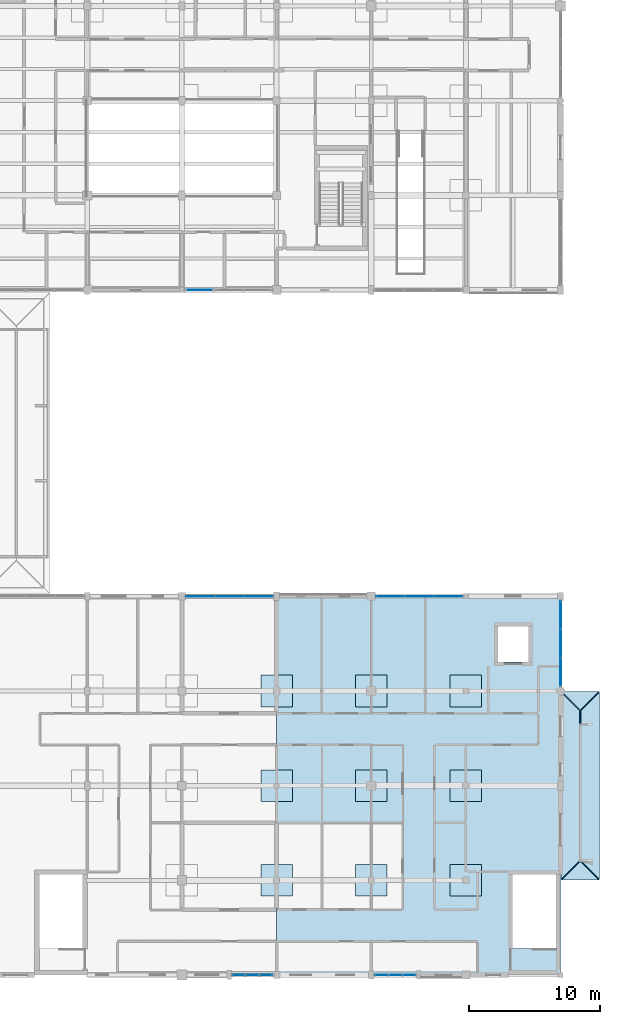
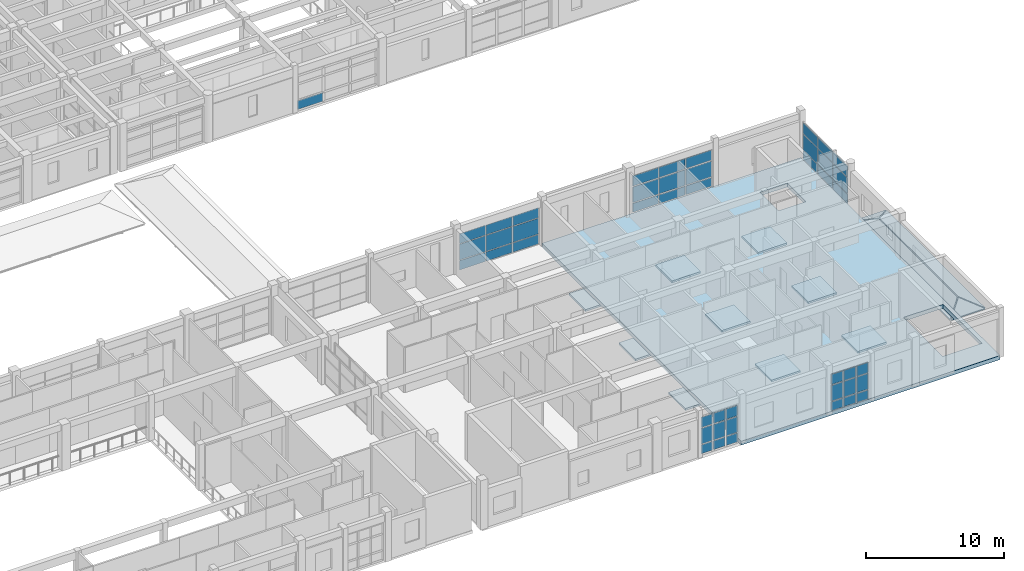
# One storey, part 69 of 110: 46 plates, 14 slabs, 7 elements without a shape of their own.
"""IFC4 building model written with IfcOpenShell, lengths in metres."""

from ifc_helpers import new_model, si_unit, direction, frame, origin, origin_2d, place, context, subcontext, project, spatial, polyline, rectangle, outline, extrude, material, layer, layer_set, type_object, element, aggregate, save


model = new_model("IFC4")

# Units and contexts
model_context = context("Model", 3, precision=1e-05, world=origin(), true_north=direction((0.0, 1.0)))
body_context = subcontext(model_context, "Body", "Model", "MODEL_VIEW")
ifc_project = project(units=[si_unit("LENGTHUNIT", "METRE"), si_unit("AREAUNIT", "SQUARE_METRE"), si_unit("VOLUMEUNIT", "CUBIC_METRE"), si_unit("PLANEANGLEUNIT", "RADIAN"), si_unit("MASSUNIT", "GRAM", prefix="KILO")], contexts=[model_context])

# Site, building, storey
site_placement = place(None, origin())
site = spatial("IfcSite", under=ifc_project, at=site_placement, CompositionType="ELEMENT")
building_placement = place(site_placement, origin())
building = spatial("IfcBuilding", under=site, at=building_placement, Name="Steenspoor Specialist Clinic", CompositionType="ELEMENT")
storey_placement = place(building_placement, frame((0.0, 0.0, 4.800048828125)))
storey = spatial("IfcBuildingStorey", under=building, at=storey_placement, Name="L01", CompositionType="ELEMENT", Elevation=4.800048828125)

# Curtain wall, plates
ifc_material_1 = material(Name="Thermally broken aluminium and low-emissivity glass", Category="aluminium")
curtain_wall_type_1 = type_object("IfcCurtainWallType", Name="CW-L00-480X415", PredefinedType="USERDEFINED", material=ifc_material_1)
curtain_wall_1_placement = place(storey_placement, origin())
curtain_wall_1 = element("IfcCurtainWall", 1, at=curtain_wall_1_placement, inside=storey, type_object=curtain_wall_type_1, Name="Unitised Curtain Wall CW-V2-L01-030", ObjectType="UNITISED GLAZING", PredefinedType="USERDEFINED")
ifc_material_2 = material(Name="Double low-emissivity insulated glass", Category="glass")
ifc_layer_1 = layer(ifc_material_2, 0.035888671875)
ifc_layer_set_1 = layer_set([ifc_layer_1], Name="Double low-emissivity insulated glass")
plate_type_1 = type_object("IfcPlateType", Name="CW-PAN-GL36", PredefinedType="CURTAIN_PANEL", material=ifc_layer_set_1)
plate_1_placement = place(storey_placement, frame((138.800048828125, 13.050048828125, 0.080078125), z_axis=(0.0, 0.0, 1.0), x_axis=(-1.0, 0.0, 0.0)))
plate_1 = element("IfcPlate", 2, at=plate_1_placement, type_object=plate_type_1, Name="CW-06 panel 1.1", PredefinedType="CURTAIN_PANEL", context=body_context, shape_type="SweptSolid", body=[
    extrude(rectangle(XDim=0.93994140625, YDim=0.035888671875, at=origin_2d()), origin(), (0.0, 0.0, 1.0), 0.780029296875),
])
plate_2_placement = place(storey_placement, frame((138.800048828125, 13.050048828125, 0.93994140625), z_axis=(0.0, 0.0, 1.0), x_axis=(-1.0, 0.0, 0.0)))
plate_2 = element("IfcPlate", 3, at=plate_2_placement, type_object=plate_type_1, Name="CW-06 panel 1.2", PredefinedType="CURTAIN_PANEL", context=body_context, shape_type="SweptSolid", body=[
    extrude(rectangle(XDim=0.93994140625, YDim=0.035888671875, at=origin_2d()), origin(), (0.0, 0.0, 1.0), 1.3701171875),
])
plate_3_placement = place(storey_placement, frame((138.800048828125, 13.050048828125, 2.39013671875), z_axis=(0.0, 0.0, 1.0), x_axis=(-1.0, 0.0, 0.0)))
plate_3 = element("IfcPlate", 4, at=plate_3_placement, type_object=plate_type_1, Name="CW-06 panel 1.3", PredefinedType="CURTAIN_PANEL", context=body_context, shape_type="SweptSolid", body=[
    extrude(rectangle(XDim=0.93994140625, YDim=0.035888671875, at=origin_2d()), origin(), (0.0, 0.0, 1.0), 0.909912109375),
])
plate_4_placement = place(storey_placement, frame((137.760009765625, 13.050048828125, 0.080078125), z_axis=(0.0, 0.0, 1.0), x_axis=(-1.0, 0.0, 0.0)))
plate_4 = element("IfcPlate", 5, at=plate_4_placement, type_object=plate_type_1, Name="CW-06 panel 2.1", PredefinedType="CURTAIN_PANEL", context=body_context, shape_type="SweptSolid", body=[
    extrude(rectangle(XDim=0.97998046875, YDim=0.035888671875, at=origin_2d()), origin(), (0.0, 0.0, 1.0), 0.780029296875),
])
plate_5_placement = place(storey_placement, frame((137.760009765625, 13.050048828125, 0.93994140625), z_axis=(0.0, 0.0, 1.0), x_axis=(-1.0, 0.0, 0.0)))
plate_5 = element("IfcPlate", 6, at=plate_5_placement, type_object=plate_type_1, Name="CW-06 panel 2.2", PredefinedType="CURTAIN_PANEL", context=body_context, shape_type="SweptSolid", body=[
    extrude(rectangle(XDim=0.97998046875, YDim=0.035888671875, at=origin_2d()), origin(), (0.0, 0.0, 1.0), 1.3701171875),
])
plate_6_placement = place(storey_placement, frame((137.760009765625, 13.050048828125, 2.39013671875), z_axis=(0.0, 0.0, 1.0), x_axis=(-1.0, 0.0, 0.0)))
plate_6 = element("IfcPlate", 7, at=plate_6_placement, type_object=plate_type_1, Name="CW-06 panel 2.3", PredefinedType="CURTAIN_PANEL", context=body_context, shape_type="SweptSolid", body=[
    extrude(rectangle(XDim=0.97998046875, YDim=0.035888671875, at=origin_2d()), origin(), (0.0, 0.0, 1.0), 0.909912109375),
])
plate_7_placement = place(storey_placement, frame((136.719970703125, 13.050048828125, 0.080078125), z_axis=(0.0, 0.0, 1.0), x_axis=(-1.0, 0.0, 0.0)))
plate_7 = element("IfcPlate", 8, at=plate_7_placement, type_object=plate_type_1, Name="CW-06 panel 3.1", PredefinedType="CURTAIN_PANEL", context=body_context, shape_type="SweptSolid", body=[
    extrude(rectangle(XDim=0.93994140625, YDim=0.035888671875, at=origin_2d()), origin(), (0.0, 0.0, 1.0), 0.780029296875),
])
plate_8_placement = place(storey_placement, frame((136.719970703125, 13.050048828125, 0.93994140625), z_axis=(0.0, 0.0, 1.0), x_axis=(-1.0, 0.0, 0.0)))
plate_8 = element("IfcPlate", 9, at=plate_8_placement, type_object=plate_type_1, Name="CW-06 panel 3.2", PredefinedType="CURTAIN_PANEL", context=body_context, shape_type="SweptSolid", body=[
    extrude(rectangle(XDim=0.93994140625, YDim=0.035888671875, at=origin_2d()), origin(), (0.0, 0.0, 1.0), 1.3701171875),
])
plate_9_placement = place(storey_placement, frame((136.719970703125, 13.050048828125, 2.39013671875), z_axis=(0.0, 0.0, 1.0), x_axis=(-1.0, 0.0, 0.0)))
plate_9 = element("IfcPlate", 10, at=plate_9_placement, type_object=plate_type_1, Name="CW-06 panel 3.3", PredefinedType="CURTAIN_PANEL", context=body_context, shape_type="SweptSolid", body=[
    extrude(rectangle(XDim=0.93994140625, YDim=0.035888671875, at=origin_2d()), origin(), (0.0, 0.0, 1.0), 0.909912109375),
])
aggregate(curtain_wall_1, [plate_1, plate_2, plate_3, plate_4, plate_5, plate_6, plate_7, plate_8, plate_9])

curtain_wall_type_2 = type_object("IfcCurtainWallType", Name="CW-TYP-660X355", PredefinedType="USERDEFINED", material=ifc_material_1)
curtain_wall_2_placement = place(storey_placement, origin())
curtain_wall_2 = element("IfcCurtainWall", 11, at=curtain_wall_2_placement, inside=storey, type_object=curtain_wall_type_2, Name="Unitised Curtain Wall CW-V2-L01-033", ObjectType="UNITISED GLAZING", PredefinedType="USERDEFINED")
plate_10_placement = place(storey_placement, frame((133.807861328125, 41.85009765625, 0.059814453125), z_axis=(0.0, 0.0, 1.0), x_axis=(1.0, 0.0, 0.0)))
plate_10 = element("IfcPlate", 12, at=plate_10_placement, type_object=plate_type_1, Name="CW-09 panel 1.1", PredefinedType="CURTAIN_PANEL", context=body_context, shape_type="SweptSolid", body=[
    extrude(rectangle(XDim=2.1357421875, YDim=0.035888671875, at=origin_2d()), origin(), (0.0, 0.0, 1.0), 0.81005859375),
])
plate_11_placement = place(storey_placement, frame((133.807861328125, 41.85009765625, 0.93017578125), z_axis=(0.0, 0.0, 1.0), x_axis=(1.0, 0.0, 0.0)))
plate_11 = element("IfcPlate", 13, at=plate_11_placement, type_object=plate_type_1, Name="CW-09 panel 1.2", PredefinedType="CURTAIN_PANEL", context=body_context, shape_type="SweptSolid", body=[
    extrude(rectangle(XDim=2.1357421875, YDim=0.035888671875, at=origin_2d()), origin(), (0.0, 0.0, 1.0), 1.389892578125),
])
plate_12_placement = place(storey_placement, frame((133.807861328125, 41.85009765625, 2.3798828125), z_axis=(0.0, 0.0, 1.0), x_axis=(1.0, 0.0, 0.0)))
plate_12 = element("IfcPlate", 14, at=plate_12_placement, type_object=plate_type_1, Name="CW-09 panel 1.3", PredefinedType="CURTAIN_PANEL", context=body_context, shape_type="SweptSolid", body=[
    extrude(rectangle(XDim=2.1357421875, YDim=0.035888671875, at=origin_2d()), origin(), (0.0, 0.0, 1.0), 0.860107421875),
])
plate_13_placement = place(storey_placement, frame((136.02490234375, 41.85009765625, 0.059814453125), z_axis=(0.0, 0.0, 1.0), x_axis=(1.0, 0.0, 0.0)))
plate_13 = element("IfcPlate", 15, at=plate_13_placement, type_object=plate_type_1, Name="CW-09 panel 2.1", PredefinedType="CURTAIN_PANEL", context=body_context, shape_type="SweptSolid", body=[
    extrude(rectangle(XDim=2.168212890625, YDim=0.035888671875, at=origin_2d()), origin(), (0.0, 0.0, 1.0), 0.81005859375),
])
plate_14_placement = place(storey_placement, frame((136.02490234375, 41.85009765625, 0.93017578125), z_axis=(0.0, 0.0, 1.0), x_axis=(1.0, 0.0, 0.0)))
plate_14 = element("IfcPlate", 16, at=plate_14_placement, type_object=plate_type_1, Name="CW-09 panel 2.2", PredefinedType="CURTAIN_PANEL", context=body_context, shape_type="SweptSolid", body=[
    extrude(rectangle(XDim=2.168212890625, YDim=0.035888671875, at=origin_2d()), origin(), (0.0, 0.0, 1.0), 1.389892578125),
])
plate_15_placement = place(storey_placement, frame((136.02490234375, 41.85009765625, 2.3798828125), z_axis=(0.0, 0.0, 1.0), x_axis=(1.0, 0.0, 0.0)))
plate_15 = element("IfcPlate", 17, at=plate_15_placement, type_object=plate_type_1, Name="CW-09 panel 2.3", PredefinedType="CURTAIN_PANEL", context=body_context, shape_type="SweptSolid", body=[
    extrude(rectangle(XDim=2.168212890625, YDim=0.035888671875, at=origin_2d()), origin(), (0.0, 0.0, 1.0), 0.860107421875),
])
plate_16_placement = place(storey_placement, frame((138.2421875, 41.85009765625, 0.059814453125), z_axis=(0.0, 0.0, 1.0), x_axis=(1.0, 0.0, 0.0)))
plate_16 = element("IfcPlate", 18, at=plate_16_placement, type_object=plate_type_1, Name="CW-09 panel 3.1", PredefinedType="CURTAIN_PANEL", context=body_context, shape_type="SweptSolid", body=[
    extrude(rectangle(XDim=2.1357421875, YDim=0.035888671875, at=origin_2d()), origin(), (0.0, 0.0, 1.0), 0.81005859375),
])
plate_17_placement = place(storey_placement, frame((138.2421875, 41.85009765625, 0.93017578125), z_axis=(0.0, 0.0, 1.0), x_axis=(1.0, 0.0, 0.0)))
plate_17 = element("IfcPlate", 19, at=plate_17_placement, type_object=plate_type_1, Name="CW-09 panel 3.2", PredefinedType="CURTAIN_PANEL", context=body_context, shape_type="SweptSolid", body=[
    extrude(rectangle(XDim=2.1357421875, YDim=0.035888671875, at=origin_2d()), origin(), (0.0, 0.0, 1.0), 1.389892578125),
])
plate_18_placement = place(storey_placement, frame((138.2421875, 41.85009765625, 2.3798828125), z_axis=(0.0, 0.0, 1.0), x_axis=(1.0, 0.0, 0.0)))
plate_18 = element("IfcPlate", 20, at=plate_18_placement, type_object=plate_type_1, Name="CW-09 panel 3.3", PredefinedType="CURTAIN_PANEL", context=body_context, shape_type="SweptSolid", body=[
    extrude(rectangle(XDim=2.1357421875, YDim=0.035888671875, at=origin_2d()), origin(), (0.0, 0.0, 1.0), 0.860107421875),
])
aggregate(curtain_wall_2, [plate_10, plate_11, plate_12, plate_13, plate_14, plate_15, plate_16, plate_17, plate_18])

# Curtain wall, plate
curtain_wall_3_placement = place(storey_placement, origin())
curtain_wall_3 = element("IfcCurtainWall", 21, at=curtain_wall_3_placement, inside=storey, type_object=curtain_wall_type_1, Name="Unitised Curtain Wall CW-V6-L01-174", ObjectType="UNITISED GLAZING", PredefinedType="USERDEFINED")
plate_19_placement = place(storey_placement, frame((133.732421875, 65.14990234375, 0.08984375), z_axis=(0.0, 0.0, 1.0), x_axis=(-1.0, 0.0, 0.0)))
plate_19 = element("IfcPlate", 22, at=plate_19_placement, type_object=plate_type_1, Name="CW-06 panel 3.1", PredefinedType="CURTAIN_PANEL", context=body_context, shape_type="SweptSolid", body=[
    extrude(rectangle(XDim=2.10498046875, YDim=0.035888671875, at=origin_2d()), origin(), (0.0, 0.0, 1.0), 0.764892578125),
])
aggregate(curtain_wall_3, [plate_19])

# Curtain wall, plates
curtain_wall_type_3 = type_object("IfcCurtainWallType", Name="CW-TYP-650X355", PredefinedType="USERDEFINED", material=ifc_material_1)
curtain_wall_4_placement = place(storey_placement, origin())
curtain_wall_4 = element("IfcCurtainWall", 23, at=curtain_wall_4_placement, inside=storey, type_object=curtain_wall_type_3, Name="Unitised Curtain Wall CW-V2-L01-034", ObjectType="UNITISED GLAZING", PredefinedType="USERDEFINED")
ifc_material_3 = material(Name="Triple acoustic laminated low-emissivity glass", Category="glass")
ifc_layer_2 = layer(ifc_material_3, 0.048095703125)
ifc_layer_set_2 = layer_set([ifc_layer_2], Name="Triple acoustic laminated low-emissivity glass")
plate_type_2 = type_object("IfcPlateType", Name="CW-PAN-GL48", PredefinedType="CURTAIN_PANEL", material=ifc_layer_set_2)
plate_20_placement = place(storey_placement, frame((148.25244140625, 41.85009765625, 0.08984375), z_axis=(0.0, 0.0, 1.0), x_axis=(1.0, 0.0, 0.0)))
plate_20 = element("IfcPlate", 24, at=plate_20_placement, type_object=plate_type_2, Name="CW-10 panel 1.1", PredefinedType="CURTAIN_PANEL", context=body_context, shape_type="SweptSolid", body=[
    extrude(rectangle(XDim=2.135009765625, YDim=0.048095703125, at=origin_2d()), origin(), (0.0, 0.0, 1.0), 0.764892578125),
])
plate_21_placement = place(storey_placement, frame((148.25244140625, 41.85009765625, 0.94482421875), z_axis=(0.0, 0.0, 1.0), x_axis=(1.0, 0.0, 0.0)))
plate_21 = element("IfcPlate", 25, at=plate_21_placement, type_object=plate_type_2, Name="CW-10 panel 1.2", PredefinedType="CURTAIN_PANEL", context=body_context, shape_type="SweptSolid", body=[
    extrude(rectangle(XDim=2.135009765625, YDim=0.048095703125, at=origin_2d()), origin(), (0.0, 0.0, 1.0), 1.360107421875),
])
plate_22_placement = place(storey_placement, frame((148.25244140625, 41.85009765625, 2.39501953125), z_axis=(0.0, 0.0, 1.0), x_axis=(1.0, 0.0, 0.0)))
plate_22 = element("IfcPlate", 26, at=plate_22_placement, type_object=plate_type_2, Name="CW-10 panel 1.3", PredefinedType="CURTAIN_PANEL", context=body_context, shape_type="SweptSolid", body=[
    extrude(rectangle(XDim=2.135009765625, YDim=0.048095703125, at=origin_2d()), origin(), (0.0, 0.0, 1.0), 0.89501953125),
])
plate_23_placement = place(storey_placement, frame((150.46240234375, 41.85009765625, 0.08984375), z_axis=(0.0, 0.0, 1.0), x_axis=(1.0, 0.0, 0.0)))
plate_23 = element("IfcPlate", 27, at=plate_23_placement, type_object=plate_type_2, Name="CW-10 panel 2.1", PredefinedType="CURTAIN_PANEL", context=body_context, shape_type="SweptSolid", body=[
    extrude(rectangle(XDim=2.1650390625, YDim=0.048095703125, at=origin_2d()), origin(), (0.0, 0.0, 1.0), 0.764892578125),
])
plate_24_placement = place(storey_placement, frame((150.46240234375, 41.85009765625, 0.94482421875), z_axis=(0.0, 0.0, 1.0), x_axis=(1.0, 0.0, 0.0)))
plate_24 = element("IfcPlate", 28, at=plate_24_placement, type_object=plate_type_2, Name="CW-10 panel 2.2", PredefinedType="CURTAIN_PANEL", context=body_context, shape_type="SweptSolid", body=[
    extrude(rectangle(XDim=2.1650390625, YDim=0.048095703125, at=origin_2d()), origin(), (0.0, 0.0, 1.0), 1.360107421875),
])
plate_25_placement = place(storey_placement, frame((150.46240234375, 41.85009765625, 2.39501953125), z_axis=(0.0, 0.0, 1.0), x_axis=(1.0, 0.0, 0.0)))
plate_25 = element("IfcPlate", 29, at=plate_25_placement, type_object=plate_type_2, Name="CW-10 panel 2.3", PredefinedType="CURTAIN_PANEL", context=body_context, shape_type="SweptSolid", body=[
    extrude(rectangle(XDim=2.1650390625, YDim=0.048095703125, at=origin_2d()), origin(), (0.0, 0.0, 1.0), 0.89501953125),
])
plate_26_placement = place(storey_placement, frame((152.672607421875, 41.85009765625, 0.08984375), z_axis=(0.0, 0.0, 1.0), x_axis=(1.0, 0.0, 0.0)))
plate_26 = element("IfcPlate", 30, at=plate_26_placement, type_object=plate_type_2, Name="CW-10 panel 3.1", PredefinedType="CURTAIN_PANEL", context=body_context, shape_type="SweptSolid", body=[
    extrude(rectangle(XDim=2.135009765625, YDim=0.048095703125, at=origin_2d()), origin(), (0.0, 0.0, 1.0), 0.764892578125),
])
plate_27_placement = place(storey_placement, frame((152.672607421875, 41.85009765625, 0.94482421875), z_axis=(0.0, 0.0, 1.0), x_axis=(1.0, 0.0, 0.0)))
plate_27 = element("IfcPlate", 31, at=plate_27_placement, type_object=plate_type_2, Name="CW-10 panel 3.2", PredefinedType="CURTAIN_PANEL", context=body_context, shape_type="SweptSolid", body=[
    extrude(rectangle(XDim=2.135009765625, YDim=0.048095703125, at=origin_2d()), origin(), (0.0, 0.0, 1.0), 1.360107421875),
])
plate_28_placement = place(storey_placement, frame((152.672607421875, 41.85009765625, 2.39501953125), z_axis=(0.0, 0.0, 1.0), x_axis=(1.0, 0.0, 0.0)))
plate_28 = element("IfcPlate", 32, at=plate_28_placement, type_object=plate_type_2, Name="CW-10 panel 3.3", PredefinedType="CURTAIN_PANEL", context=body_context, shape_type="SweptSolid", body=[
    extrude(rectangle(XDim=2.135009765625, YDim=0.048095703125, at=origin_2d()), origin(), (0.0, 0.0, 1.0), 0.89501953125),
])
aggregate(curtain_wall_4, [plate_20, plate_21, plate_22, plate_23, plate_24, plate_25, plate_26, plate_27, plate_28])

curtain_wall_type_4 = type_object("IfcCurtainWallType", Name="CW-L00-650X415", PredefinedType="USERDEFINED", material=ifc_material_1)
curtain_wall_5_placement = place(storey_placement, origin())
curtain_wall_5 = element("IfcCurtainWall", 33, at=curtain_wall_5_placement, inside=storey, type_object=curtain_wall_type_4, Name="Unitised Curtain Wall CW-V2-L01-029", ObjectType="UNITISED GLAZING", PredefinedType="USERDEFINED")
ifc_material_4 = material(Name="Insulated glazed ceramic spandrel panel", Category="glass")
ifc_layer_3 = layer(ifc_material_4, 0.074951171875)
ifc_layer_set_3 = layer_set([ifc_layer_3], Name="Insulated glazed ceramic spandrel panel")
plate_type_3 = type_object("IfcPlateType", Name="CW-PAN-SP75", PredefinedType="CURTAIN_PANEL", material=ifc_layer_set_3)
plate_29_placement = place(storey_placement, frame((149.68994140625, 13.050048828125, 0.08984375), z_axis=(0.0, 0.0, 1.0), x_axis=(-1.0, 0.0, 0.0)))
plate_29 = element("IfcPlate", 34, at=plate_29_placement, type_object=plate_type_3, Name="CW-05 panel 1.1", PredefinedType="CURTAIN_PANEL", context=body_context, shape_type="SweptSolid", body=[
    extrude(rectangle(XDim=0.93994140625, YDim=0.074951171875, at=origin_2d()), origin(), (0.0, 0.0, 1.0), 0.764892578125),
])
plate_30_placement = place(storey_placement, frame((149.68994140625, 13.050048828125, 0.94482421875), z_axis=(0.0, 0.0, 1.0), x_axis=(-1.0, 0.0, 0.0)))
plate_30 = element("IfcPlate", 35, at=plate_30_placement, type_object=plate_type_3, Name="CW-05 panel 1.2", PredefinedType="CURTAIN_PANEL", context=body_context, shape_type="SweptSolid", body=[
    extrude(rectangle(XDim=0.93994140625, YDim=0.074951171875, at=origin_2d()), origin(), (0.0, 0.0, 1.0), 1.360107421875),
])
plate_31_placement = place(storey_placement, frame((149.68994140625, 13.050048828125, 2.39501953125), z_axis=(0.0, 0.0, 1.0), x_axis=(-1.0, 0.0, 0.0)))
plate_31 = element("IfcPlate", 36, at=plate_31_placement, type_object=plate_type_3, Name="CW-05 panel 1.3", PredefinedType="CURTAIN_PANEL", context=body_context, shape_type="SweptSolid", body=[
    extrude(rectangle(XDim=0.93994140625, YDim=0.074951171875, at=origin_2d()), origin(), (0.0, 0.0, 1.0), 0.89501953125),
])
plate_32_placement = place(storey_placement, frame((148.637451171875, 13.050048828125, 0.08984375), z_axis=(0.0, 0.0, 1.0), x_axis=(-1.0, 0.0, 0.0)))
plate_32 = element("IfcPlate", 37, at=plate_32_placement, type_object=plate_type_3, Name="CW-05 panel 2.1", PredefinedType="CURTAIN_PANEL", context=body_context, shape_type="SweptSolid", body=[
    extrude(rectangle(XDim=0.985107421875, YDim=0.074951171875, at=origin_2d()), origin(), (0.0, 0.0, 1.0), 0.764892578125),
])
plate_33_placement = place(storey_placement, frame((148.637451171875, 13.050048828125, 0.94482421875), z_axis=(0.0, 0.0, 1.0), x_axis=(-1.0, 0.0, 0.0)))
plate_33 = element("IfcPlate", 38, at=plate_33_placement, type_object=plate_type_3, Name="CW-05 panel 2.2", PredefinedType="CURTAIN_PANEL", context=body_context, shape_type="SweptSolid", body=[
    extrude(rectangle(XDim=0.985107421875, YDim=0.074951171875, at=origin_2d()), origin(), (0.0, 0.0, 1.0), 1.360107421875),
])
plate_34_placement = place(storey_placement, frame((148.637451171875, 13.050048828125, 2.39501953125), z_axis=(0.0, 0.0, 1.0), x_axis=(-1.0, 0.0, 0.0)))
plate_34 = element("IfcPlate", 39, at=plate_34_placement, type_object=plate_type_3, Name="CW-05 panel 2.3", PredefinedType="CURTAIN_PANEL", context=body_context, shape_type="SweptSolid", body=[
    extrude(rectangle(XDim=0.985107421875, YDim=0.074951171875, at=origin_2d()), origin(), (0.0, 0.0, 1.0), 0.89501953125),
])
plate_35_placement = place(storey_placement, frame((147.5849609375, 13.050048828125, 0.08984375), z_axis=(0.0, 0.0, 1.0), x_axis=(-1.0, 0.0, 0.0)))
plate_35 = element("IfcPlate", 40, at=plate_35_placement, type_object=plate_type_3, Name="CW-05 panel 3.1", PredefinedType="CURTAIN_PANEL", context=body_context, shape_type="SweptSolid", body=[
    extrude(rectangle(XDim=0.93994140625, YDim=0.074951171875, at=origin_2d()), origin(), (0.0, 0.0, 1.0), 0.764892578125),
])
plate_36_placement = place(storey_placement, frame((147.5849609375, 13.050048828125, 0.94482421875), z_axis=(0.0, 0.0, 1.0), x_axis=(-1.0, 0.0, 0.0)))
plate_36 = element("IfcPlate", 41, at=plate_36_placement, type_object=plate_type_3, Name="CW-05 panel 3.2", PredefinedType="CURTAIN_PANEL", context=body_context, shape_type="SweptSolid", body=[
    extrude(rectangle(XDim=0.93994140625, YDim=0.074951171875, at=origin_2d()), origin(), (0.0, 0.0, 1.0), 1.360107421875),
])
plate_37_placement = place(storey_placement, frame((147.5849609375, 13.050048828125, 2.39501953125), z_axis=(0.0, 0.0, 1.0), x_axis=(-1.0, 0.0, 0.0)))
plate_37 = element("IfcPlate", 42, at=plate_37_placement, type_object=plate_type_3, Name="CW-05 panel 3.3", PredefinedType="CURTAIN_PANEL", context=body_context, shape_type="SweptSolid", body=[
    extrude(rectangle(XDim=0.93994140625, YDim=0.074951171875, at=origin_2d()), origin(), (0.0, 0.0, 1.0), 0.89501953125),
])
aggregate(curtain_wall_5, [plate_29, plate_30, plate_31, plate_32, plate_33, plate_34, plate_35, plate_36, plate_37])

curtain_wall_type_5 = type_object("IfcCurtainWallType", Name="CW-TYP-540X355", PredefinedType="USERDEFINED", material=ifc_material_1)
curtain_wall_6_placement = place(storey_placement, origin())
curtain_wall_6 = element("IfcCurtainWall", 43, at=curtain_wall_6_placement, inside=storey, type_object=curtain_wall_type_5, Name="Unitised Curtain Wall CW-V2-L01-035", ObjectType="UNITISED GLAZING", PredefinedType="USERDEFINED")
plate_38_placement = place(storey_placement, frame((161.199951171875, 40.431640625, 0.080078125), z_axis=(0.0, 0.0, 1.0), x_axis=(0.0, -1.0, 0.0)))
plate_38 = element("IfcPlate", 44, at=plate_38_placement, type_object=plate_type_3, Name="CW-11 panel 1.1", PredefinedType="CURTAIN_PANEL", context=body_context, shape_type="SweptSolid", body=[
    extrude(rectangle(XDim=2.056640625, YDim=0.074951171875, at=origin_2d()), origin(), (0.0, 0.0, 1.0), 0.780029296875),
])
plate_39_placement = place(storey_placement, frame((161.199951171875, 40.431640625, 0.93994140625), z_axis=(0.0, 0.0, 1.0), x_axis=(0.0, -1.0, 0.0)))
plate_39 = element("IfcPlate", 45, at=plate_39_placement, type_object=plate_type_3, Name="CW-11 panel 1.2", PredefinedType="CURTAIN_PANEL", context=body_context, shape_type="SweptSolid", body=[
    extrude(rectangle(XDim=2.056640625, YDim=0.074951171875, at=origin_2d()), origin(), (0.0, 0.0, 1.0), 1.3701171875),
])
plate_40_placement = place(storey_placement, frame((161.199951171875, 40.431640625, 2.39013671875), z_axis=(0.0, 0.0, 1.0), x_axis=(0.0, -1.0, 0.0)))
plate_40 = element("IfcPlate", 46, at=plate_40_placement, type_object=plate_type_3, Name="CW-11 panel 1.3", PredefinedType="CURTAIN_PANEL", context=body_context, shape_type="SweptSolid", body=[
    extrude(rectangle(XDim=2.056640625, YDim=0.074951171875, at=origin_2d()), origin(), (0.0, 0.0, 1.0), 0.909912109375),
])
plate_41_placement = place(storey_placement, frame((161.199951171875, 38.262451171875, 0.080078125), z_axis=(0.0, 0.0, 1.0), x_axis=(0.0, -1.0, 0.0)))
plate_41 = element("IfcPlate", 47, at=plate_41_placement, type_object=plate_type_3, Name="CW-11 panel 2.1", PredefinedType="CURTAIN_PANEL", context=body_context, shape_type="SweptSolid", body=[
    extrude(rectangle(XDim=2.1015625, YDim=0.074951171875, at=origin_2d()), origin(), (0.0, 0.0, 1.0), 0.780029296875),
])
plate_42_placement = place(storey_placement, frame((161.199951171875, 38.262451171875, 0.93994140625), z_axis=(0.0, 0.0, 1.0), x_axis=(0.0, -1.0, 0.0)))
plate_42 = element("IfcPlate", 48, at=plate_42_placement, type_object=plate_type_3, Name="CW-11 panel 2.2", PredefinedType="CURTAIN_PANEL", context=body_context, shape_type="SweptSolid", body=[
    extrude(rectangle(XDim=2.1015625, YDim=0.074951171875, at=origin_2d()), origin(), (0.0, 0.0, 1.0), 1.3701171875),
])
plate_43_placement = place(storey_placement, frame((161.199951171875, 38.262451171875, 2.39013671875), z_axis=(0.0, 0.0, 1.0), x_axis=(0.0, -1.0, 0.0)))
plate_43 = element("IfcPlate", 49, at=plate_43_placement, type_object=plate_type_3, Name="CW-11 panel 2.3", PredefinedType="CURTAIN_PANEL", context=body_context, shape_type="SweptSolid", body=[
    extrude(rectangle(XDim=2.1015625, YDim=0.074951171875, at=origin_2d()), origin(), (0.0, 0.0, 1.0), 0.909912109375),
])
plate_44_placement = place(storey_placement, frame((161.199951171875, 36.09326171875, 0.080078125), z_axis=(0.0, 0.0, 1.0), x_axis=(0.0, -1.0, 0.0)))
plate_44 = element("IfcPlate", 50, at=plate_44_placement, type_object=plate_type_3, Name="CW-11 panel 3.1", PredefinedType="CURTAIN_PANEL", context=body_context, shape_type="SweptSolid", body=[
    extrude(rectangle(XDim=2.056640625, YDim=0.074951171875, at=origin_2d()), origin(), (0.0, 0.0, 1.0), 0.780029296875),
])
plate_45_placement = place(storey_placement, frame((161.199951171875, 36.09326171875, 0.93994140625), z_axis=(0.0, 0.0, 1.0), x_axis=(0.0, -1.0, 0.0)))
plate_45 = element("IfcPlate", 51, at=plate_45_placement, type_object=plate_type_3, Name="CW-11 panel 3.2", PredefinedType="CURTAIN_PANEL", context=body_context, shape_type="SweptSolid", body=[
    extrude(rectangle(XDim=2.056640625, YDim=0.074951171875, at=origin_2d()), origin(), (0.0, 0.0, 1.0), 1.3701171875),
])
plate_46_placement = place(storey_placement, frame((161.199951171875, 36.09326171875, 2.39013671875), z_axis=(0.0, 0.0, 1.0), x_axis=(0.0, -1.0, 0.0)))
plate_46 = element("IfcPlate", 52, at=plate_46_placement, type_object=plate_type_3, Name="CW-11 panel 3.3", PredefinedType="CURTAIN_PANEL", context=body_context, shape_type="SweptSolid", body=[
    extrude(rectangle(XDim=2.056640625, YDim=0.074951171875, at=origin_2d()), origin(), (0.0, 0.0, 1.0), 0.909912109375),
])
aggregate(curtain_wall_6, [plate_38, plate_39, plate_40, plate_41, plate_42, plate_43, plate_44, plate_45, plate_46])

# Slabs
ifc_material_5 = material(Name="Concrete C35/45", Category="concrete")
ifc_layer_4 = layer(ifc_material_5, 0.169921875)
ifc_layer_set_4 = layer_set([ifc_layer_4], Name="Concrete C35/45")
slab_type_1 = type_object("IfcSlabType", Name="SL-DROP-170", PredefinedType="USERDEFINED", material=ifc_layer_set_4)
slab_1_placement = place(storey_placement, frame((0.0, 0.0, -0.510009765625)))
element("IfcSlab", 53, at=slab_1_placement, inside=storey, type_object=slab_type_1, Name="Column Drop Panel DROP-V2-L01-010", ObjectType="DROP PANEL", PredefinedType="USERDEFINED", context=body_context, shape_type="SweptSolid", body=[
    extrude(outline(polyline([(140.800048828125, 19.050048828125), (140.800048828125, 21.449951171875), (138.39990234375, 21.449951171875), (138.39990234375, 19.050048828125), (140.800048828125, 19.050048828125)])), origin(), (0.0, 0.0, 1.0), 0.169921875),
])
slab_2_placement = place(storey_placement, frame((0.0, 0.0, -0.510009765625)))
element("IfcSlab", 54, at=slab_2_placement, inside=storey, type_object=slab_type_1, Name="Column Drop Panel DROP-V2-L01-011", ObjectType="DROP PANEL", PredefinedType="USERDEFINED", context=body_context, shape_type="SweptSolid", body=[
    extrude(outline(polyline([(140.800048828125, 26.25), (140.800048828125, 28.64990234375), (138.39990234375, 28.64990234375), (138.39990234375, 26.25), (140.800048828125, 26.25)])), origin(), (0.0, 0.0, 1.0), 0.169921875),
])
slab_3_placement = place(storey_placement, frame((0.0, 0.0, -0.510009765625)))
element("IfcSlab", 55, at=slab_3_placement, inside=storey, type_object=slab_type_1, Name="Column Drop Panel DROP-V2-L01-012", ObjectType="DROP PANEL", PredefinedType="USERDEFINED", context=body_context, shape_type="SweptSolid", body=[
    extrude(outline(polyline([(140.800048828125, 33.449951171875), (140.800048828125, 35.85009765625), (138.39990234375, 35.85009765625), (138.39990234375, 33.449951171875), (140.800048828125, 33.449951171875)])), origin(), (0.0, 0.0, 1.0), 0.169921875),
])
slab_4_placement = place(storey_placement, frame((0.0, 0.0, -0.510009765625)))
element("IfcSlab", 56, at=slab_4_placement, inside=storey, type_object=slab_type_1, Name="Column Drop Panel DROP-V2-L01-013", ObjectType="DROP PANEL", PredefinedType="USERDEFINED", context=body_context, shape_type="SweptSolid", body=[
    extrude(outline(polyline([(148.0, 19.050048828125), (148.0, 21.449951171875), (145.60009765625, 21.449951171875), (145.60009765625, 19.050048828125), (148.0, 19.050048828125)])), origin(), (0.0, 0.0, 1.0), 0.169921875),
])
slab_5_placement = place(storey_placement, frame((0.0, 0.0, -0.510009765625)))
element("IfcSlab", 57, at=slab_5_placement, inside=storey, type_object=slab_type_1, Name="Column Drop Panel DROP-V2-L01-014", ObjectType="DROP PANEL", PredefinedType="USERDEFINED", context=body_context, shape_type="SweptSolid", body=[
    extrude(outline(polyline([(148.0, 26.25), (148.0, 28.64990234375), (145.60009765625, 28.64990234375), (145.60009765625, 26.25), (148.0, 26.25)])), origin(), (0.0, 0.0, 1.0), 0.169921875),
])
slab_6_placement = place(storey_placement, frame((0.0, 0.0, -0.510009765625)))
element("IfcSlab", 58, at=slab_6_placement, inside=storey, type_object=slab_type_1, Name="Column Drop Panel DROP-V2-L01-015", ObjectType="DROP PANEL", PredefinedType="USERDEFINED", context=body_context, shape_type="SweptSolid", body=[
    extrude(outline(polyline([(148.0, 33.449951171875), (148.0, 35.85009765625), (145.60009765625, 35.85009765625), (145.60009765625, 33.449951171875), (148.0, 33.449951171875)])), origin(), (0.0, 0.0, 1.0), 0.169921875),
])
slab_7_placement = place(storey_placement, frame((0.0, 0.0, -0.510009765625)))
element("IfcSlab", 59, at=slab_7_placement, inside=storey, type_object=slab_type_1, Name="Column Drop Panel DROP-V2-L01-016", ObjectType="DROP PANEL", PredefinedType="USERDEFINED", context=body_context, shape_type="SweptSolid", body=[
    extrude(outline(polyline([(155.199951171875, 19.050048828125), (155.199951171875, 21.449951171875), (152.800048828125, 21.449951171875), (152.800048828125, 19.050048828125), (155.199951171875, 19.050048828125)])), origin(), (0.0, 0.0, 1.0), 0.169921875),
])
slab_8_placement = place(storey_placement, frame((0.0, 0.0, -0.510009765625)))
element("IfcSlab", 60, at=slab_8_placement, inside=storey, type_object=slab_type_1, Name="Column Drop Panel DROP-V2-L01-017", ObjectType="DROP PANEL", PredefinedType="USERDEFINED", context=body_context, shape_type="SweptSolid", body=[
    extrude(outline(polyline([(155.199951171875, 26.25), (155.199951171875, 28.64990234375), (152.800048828125, 28.64990234375), (152.800048828125, 26.25), (155.199951171875, 26.25)])), origin(), (0.0, 0.0, 1.0), 0.169921875),
])
slab_9_placement = place(storey_placement, frame((0.0, 0.0, -0.510009765625)))
element("IfcSlab", 61, at=slab_9_placement, inside=storey, type_object=slab_type_1, Name="Column Drop Panel DROP-V2-L01-018", ObjectType="DROP PANEL", PredefinedType="USERDEFINED", context=body_context, shape_type="SweptSolid", body=[
    extrude(outline(polyline([(155.199951171875, 33.449951171875), (155.199951171875, 35.85009765625), (152.800048828125, 35.85009765625), (152.800048828125, 33.449951171875), (155.199951171875, 33.449951171875)])), origin(), (0.0, 0.0, 1.0), 0.169921875),
])
ifc_layer_5 = layer(ifc_material_5, 0.340087890625)
ifc_layer_set_5 = layer_set([ifc_layer_5], Name="Concrete C35/45")
slab_type_2 = type_object("IfcSlabType", Name="SL-IMAGING-340", PredefinedType="FLOOR", material=ifc_layer_set_5)
slab_10_placement = place(storey_placement, frame((0.0, 0.0, -0.340087890625)))
element("IfcSlab", 62, at=slab_10_placement, inside=storey, type_object=slab_type_2, Name="Structural Slab SLAB-V2-L01-011", PredefinedType="FLOOR", context=body_context, shape_type="SweptSolid", body=[
    extrude(outline(polyline([(161.199951171875, 41.85009765625), (161.199951171875, 13.050048828125), (139.60009765625, 13.050048828125), (139.60009765625, 41.85009765625), (161.199951171875, 41.85009765625)]), holes=[polyline([(157.550048828125, 20.699951171875), (157.550048828125, 15.050048828125), (160.85009765625, 15.050048828125), (160.85009765625, 20.699951171875), (157.550048828125, 20.699951171875)]), polyline([(158.75, 39.550048828125), (156.449951171875, 39.550048828125), (156.449951171875, 36.85009765625), (158.75, 36.85009765625), (158.75, 39.550048828125)])]), origin(), (0.0, 0.0, 1.0), 0.340087890625),
])

# Roof, slabs
ifc_material_6 = material(Name="Extruded terracotta clay roof tile", Category="masonry")
roof_type = type_object("IfcRoofType", Name="ROOF-HIP-TIER", PredefinedType="HIP_ROOF", material=ifc_material_6)
roof_placement = place(storey_placement, origin())
roof = element("IfcRoof", 63, at=roof_placement, inside=storey, type_object=roof_type, Name="Tiered Hipped Roof PORCH-EAST", PredefinedType="HIP_ROOF")
ifc_layer_6 = layer(ifc_material_5, 0.14990234375)
ifc_layer_set_6 = layer_set([ifc_layer_6], Name="Concrete C35/45")
slab_type_3 = type_object("IfcSlabType", Name="SL-ROOF-150", PredefinedType="ROOF", material=ifc_layer_set_6)
slab_11_placement = place(storey_placement, frame((162.657958984375, 33.132568359375, -0.61865234375), z_axis=(-0.40436768274, 0.0, 0.914596510575), x_axis=(-0.674894108895, 0.674894108895, -0.298388812721)))
slab_11 = element("IfcSlab", 64, at=slab_11_placement, type_object=slab_type_3, Name="Hipped Roof Slab RSLAB-PORCH-EAST-W", PredefinedType="ROOF", context=body_context, shape_type="SweptSolid", body=[
    extrude(outline(polyline([(0.0, 0.0), (2.1158556532111366, -5.551115123125783e-17), (-7.481942648339371, 10.494024622419802), (-7.670329725901788, 8.38657226133711), (0.0, 0.0)])), origin(), (0.0, 0.0, -1.0), 0.14990234375),
])
slab_12_placement = place(storey_placement, frame((162.741943359375, 21.767333984375, -0.61865234375), z_axis=(0.40436768274, 0.0, 0.914596510575), x_axis=(0.674894108895, -0.674894108895, -0.298388812721)))
slab_12 = element("IfcSlab", 65, at=slab_12_placement, type_object=slab_type_3, Name="Hipped Roof Slab RSLAB-PORCH-EAST-E", PredefinedType="ROOF", context=body_context, shape_type="SweptSolid", body=[
    extrude(outline(polyline([(0.0, 0.0), (2.1158556532111366, -5.551115123125783e-17), (-7.481942648339371, 10.494024622419802), (-7.670329725901788, 8.38657226133711), (0.0, 0.0)])), origin(), (0.0, 0.0, -1.0), 0.14990234375),
])
slab_13_placement = place(storey_placement, frame((162.699951171875, 21.690673828125, -0.62646484375), z_axis=(0.0, -0.404287043065, 0.914632159291), x_axis=(-0.674908432444, -0.674908432444, -0.298324011156)))
slab_13 = element("IfcSlab", 66, at=slab_13_placement, type_object=slab_type_3, Name="Hipped Roof Slab RSLAB-PORCH-EAST-S", PredefinedType="ROOF", context=body_context, shape_type="SweptSolid", body=[
    extrude(outline(polyline([(0.0, 0.0), (2.0901272875523103, 5.551115123125783e-17), (0.1860155089095173, 2.081833400783048), (0.0, 0.0)])), origin(), (0.0, 0.0, -1.0), 0.14990234375),
])
slab_14_placement = place(storey_placement, frame((162.699951171875, 33.20947265625, -0.62646484375), z_axis=(0.0, 0.404287043065, 0.914632159291), x_axis=(0.674908432444, 0.674908432444, -0.298324011156)))
slab_14 = element("IfcSlab", 67, at=slab_14_placement, type_object=slab_type_3, Name="Hipped Roof Slab RSLAB-PORCH-EAST-N", PredefinedType="ROOF", context=body_context, shape_type="SweptSolid", body=[
    extrude(outline(polyline([(0.0, 0.0), (2.0901272875523103, 5.551115123125783e-17), (0.1860155089095173, 2.081833400783048), (0.0, 0.0)])), origin(), (0.0, 0.0, -1.0), 0.14990234375),
])
aggregate(roof, [slab_11, slab_12, slab_13, slab_14])

save(model, "model.ifc")
